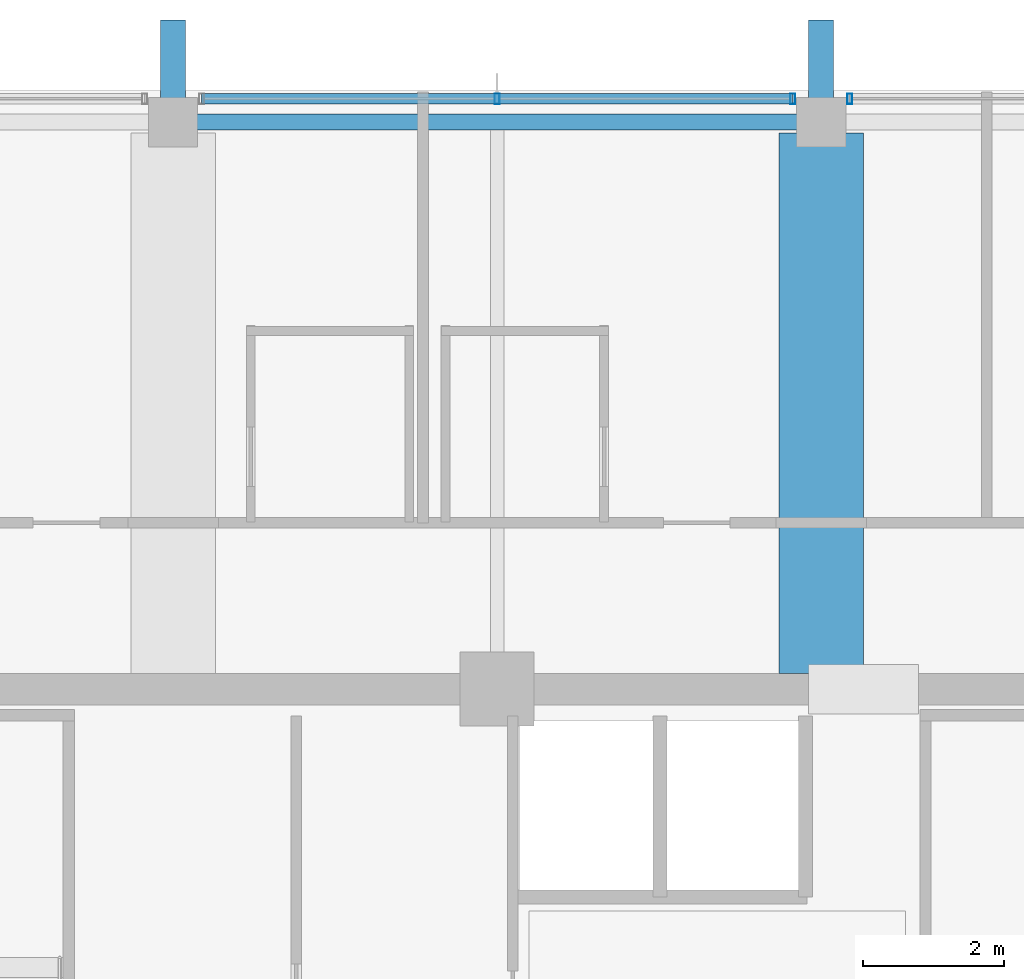
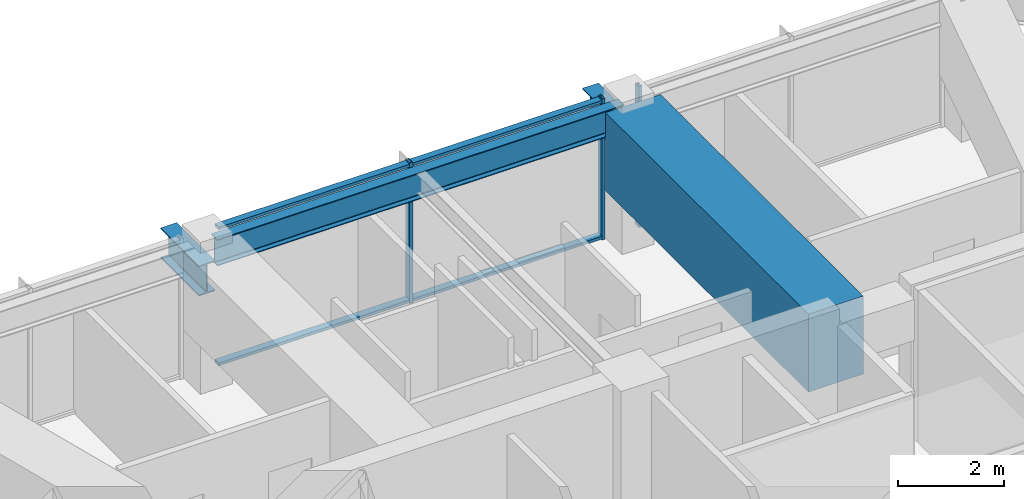
# One storey, part 16 of 31: 5 members, 4 beams, 2 elements without a shape of their own.
"""IFC4 building model written with IfcOpenShell, lengths in metres."""

from ifc_helpers import new_model, si_unit, direction, frame, origin, origin_2d, place, context, subcontext, project, spatial, rectangle, hollow_rectangle, i_section, extrude, material, material_profile, profile_set, type_object, element, aggregate, save


model = new_model("IFC4")

# Units and contexts
model_context = context("Model", 3, precision=1e-05, world=origin(), true_north=direction((0.0, 1.0)))
body_context = subcontext(model_context, "Body", "Model", "MODEL_VIEW")
ifc_project = project(units=[si_unit("LENGTHUNIT", "METRE"), si_unit("AREAUNIT", "SQUARE_METRE"), si_unit("VOLUMEUNIT", "CUBIC_METRE"), si_unit("PLANEANGLEUNIT", "RADIAN"), si_unit("MASSUNIT", "GRAM", prefix="KILO")], contexts=[model_context])

# Site, building, storey
site_placement = place(None, origin())
site = spatial("IfcSite", under=ifc_project, at=site_placement, CompositionType="ELEMENT")
building_placement = place(site_placement, origin())
building = spatial("IfcBuilding", under=site, at=building_placement, Name="Kolvaren Belvedere", CompositionType="ELEMENT")
storey_placement = place(building_placement, frame((0.0, 0.0, 237.39990234375)))
storey = spatial("IfcBuildingStorey", under=building, at=storey_placement, Name="L69", CompositionType="ELEMENT", Elevation=237.39990234375)

# Beams
ifc_material_1 = material(Name="Structural steel ASTM A992 Grade 50", Category="steel")
ifc_material_profile_1 = material_profile(ifc_material_1, i_section(OverallWidth=0.35498046875, OverallDepth=0.696044921875, WebThickness=0.015380859375, FlangeThickness=0.02490234375, FilletRadius=0.02197265625, at=origin_2d()), Name="W27X146")
ifc_profile_set_1 = profile_set([ifc_material_profile_1], Name="Structural steel ASTM A992 Grade 50")
beam_type_1 = type_object("IfcBeamType", Name="BM-CANT-BAL", PredefinedType="BEAM", material=ifc_profile_set_1)
for number, where, z_axis, x_axis, name in (
    (1, (4.60009765625, 17.949951171875, 2.342041015625), (0.0, 1.0, 0.0), (-1.0, 0.0, 0.0), "L69 North Picture-Frame Column Corbel P"),
    (2, (-4.60009765625, 17.949951171875, 2.342041015625), (0.0, 1.0, 0.0), (-1.0, 0.0, 0.0), "L69 North Picture-Frame Column Corbel M"),
):
    element("IfcBeam", number, at=place(storey_placement, frame(where, z_axis=z_axis, x_axis=x_axis)), inside=storey, type_object=beam_type_1, Name=name, PredefinedType="BEAM", context=body_context, shape_type="SweptSolid", body=[
        extrude(i_section(OverallWidth=0.35498046875, OverallDepth=0.696044921875, WebThickness=0.015380859375, FlangeThickness=0.02490234375, FilletRadius=0.02197265625, at=origin_2d()), origin(), (0.0, 0.0, 1.0), 1.449951171875),
    ])
ifc_material_2 = material(Name="Structural steel ASTM A992 Grade 50", Category="steel")
ifc_material_profile_2 = material_profile(ifc_material_2, i_section(OverallWidth=0.22900390625, OverallDepth=0.612060546875, WebThickness=0.011962890625, FlangeThickness=0.01953125, FilletRadius=0.01806640625, at=origin_2d()), Name="W24X84")
ifc_profile_set_2 = profile_set([ifc_material_profile_2], Name="Structural steel ASTM A992 Grade 50")
beam_type_2 = type_object("IfcBeamType", Name="BM-SPAN-W24X84", PredefinedType="SPANDREL", material=ifc_profile_set_2)
beam_1_placement = place(storey_placement, frame((4.4423828125, 17.949951171875, 2.944091796875), z_axis=(-1.0, 0.0, 0.0), x_axis=(0.0, -1.0, 0.0)))
element("IfcBeam", 3, at=beam_1_placement, inside=storey, type_object=beam_type_2, Name="L69 Perimeter Spandrel N3-N2", PredefinedType="SPANDREL", context=body_context, shape_type="SweptSolid", body=[
    extrude(i_section(OverallWidth=0.22900390625, OverallDepth=0.612060546875, WebThickness=0.011962890625, FlangeThickness=0.01953125, FilletRadius=0.01806640625, at=origin_2d()), origin(), (0.0, 0.0, 1.0), 8.884765625),
])
ifc_material_3 = material(Name="Concrete C50/60", Category="concrete")
ifc_material_profile_3 = material_profile(ifc_material_3, rectangle(XDim=1.199951171875, YDim=1.800048828125, at=origin_2d()), Name="RC 1200X1800")
ifc_profile_set_3 = profile_set([ifc_material_profile_3], Name="Concrete C50/60")
beam_type_3 = type_object("IfcBeamType", Name="BM-TG-1800", PredefinedType="BEAM", material=ifc_profile_set_3)
beam_2_placement = place(storey_placement, frame((4.60009765625, 10.125, 2.35009765625), z_axis=(0.0, 1.0, 0.0), x_axis=(-1.0, 0.0, 0.0)))
element("IfcBeam", 4, at=beam_2_placement, inside=storey, type_object=beam_type_3, Name="L69 North Radial Girder P", PredefinedType="BEAM", context=body_context, shape_type="SweptSolid", body=[
    extrude(rectangle(XDim=1.199951171875, YDim=1.800048828125, at=origin_2d()), origin(), (0.0, 0.0, 1.0), 7.66748046875),
])

# Curtain wall, members
ifc_material_4 = material(Name="Anodised pale-metal aluminium AA 6063-T6", Category="aluminium")
curtain_wall_type = type_object("IfcCurtainWallType", Name="CW-Z5-HIGH", PredefinedType="NOTDEFINED", material=ifc_material_4)
curtain_wall_1_placement = place(storey_placement, origin())
curtain_wall_1 = element("IfcCurtainWall", 5, at=curtain_wall_1_placement, inside=storey, type_object=curtain_wall_type, Name="L69 Unitised Curtain Wall FCW-L69-N-B2", PredefinedType="NOTDEFINED")
ifc_material_5 = material(Name="Anodised pale-metal aluminium AA 6063-T6", Category="aluminium")
ifc_material_profile_4 = material_profile(ifc_material_5, hollow_rectangle(XDim=0.070068359375, YDim=0.14990234375, WallThickness=0.004150390625, at=origin_2d()), Name="ALU-MUL-150X70")
ifc_profile_set_4 = profile_set([ifc_material_profile_4], Name="Anodised pale-metal aluminium AA 6063-T6")
member_type_1 = type_object("IfcMemberType", Name="CW-MUL-150", PredefinedType="MULLION", material=ifc_profile_set_4)
member_1_placement = place(storey_placement, frame((0.0, 18.280029296875, 0.0), z_axis=(0.0, 0.0, 1.0), x_axis=(1.0, 0.0, 0.0)))
member_1 = element("IfcMember", 6, at=member_1_placement, type_object=member_type_1, Name="FCW-L69-N-B2 Unitised Mullion 2", PredefinedType="MULLION", context=body_context, shape_type="SweptSolid", body=[
    extrude(hollow_rectangle(XDim=0.070068359375, YDim=0.14990234375, WallThickness=0.004150390625, at=origin_2d()), origin(), (0.0, 0.0, 1.0), 3.25),
])
member_2_placement = place(storey_placement, frame((4.195068359375, 18.280029296875, 0.0), z_axis=(0.0, 0.0, 1.0), x_axis=(1.0, 0.0, 0.0)))
member_2 = element("IfcMember", 7, at=member_2_placement, type_object=member_type_1, Name="FCW-L69-N-B2 Unitised Mullion 3", PredefinedType="MULLION", context=body_context, shape_type="SweptSolid", body=[
    extrude(hollow_rectangle(XDim=0.070068359375, YDim=0.14990234375, WallThickness=0.004150390625, at=origin_2d()), origin(), (0.0, 0.0, 1.0), 3.25),
])

# Curtain wall, member
curtain_wall_2_placement = place(storey_placement, origin())
curtain_wall_2 = element("IfcCurtainWall", 8, at=curtain_wall_2_placement, inside=storey, type_object=curtain_wall_type, Name="L69 Unitised Curtain Wall FCW-L69-N-B3", PredefinedType="NOTDEFINED")
member_3_placement = place(storey_placement, frame((5.0048828125, 18.280029296875, 0.0), z_axis=(0.0, 0.0, 1.0), x_axis=(1.0, 0.0, 0.0)))
member_3 = element("IfcMember", 9, at=member_3_placement, type_object=member_type_1, Name="FCW-L69-N-B3 Unitised Mullion 1", PredefinedType="MULLION", context=body_context, shape_type="SweptSolid", body=[
    extrude(hollow_rectangle(XDim=0.070068359375, YDim=0.14990234375, WallThickness=0.004150390625, at=origin_2d()), origin(), (0.0, 0.0, 1.0), 3.25),
])
aggregate(curtain_wall_2, [member_3])

# Member
ifc_material_6 = material(Name="Anodised pale-metal aluminium AA 6063-T6", Category="aluminium")
ifc_material_profile_5 = material_profile(ifc_material_6, hollow_rectangle(XDim=0.06494140625, YDim=0.14990234375, WallThickness=0.00390625, at=origin_2d()), Name="ALU-TRN-150X65")
ifc_profile_set_5 = profile_set([ifc_material_profile_5], Name="Anodised pale-metal aluminium AA 6063-T6")
member_type_2 = type_object("IfcMemberType", Name="CW-TRN-150", PredefinedType="USERDEFINED", material=ifc_profile_set_5)
member_4_placement = place(storey_placement, frame((-4.195068359375, 18.280029296875, 0.06005859375), z_axis=(1.0, 0.0, 0.0), x_axis=(0.0, 0.0, 1.0)))
member_4 = element("IfcMember", 10, at=member_4_placement, type_object=member_type_2, Name="FCW-L69-N-B2 Sill Transom", ObjectType="TRANSOM", PredefinedType="USERDEFINED", context=body_context, shape_type="SweptSolid", body=[
    extrude(hollow_rectangle(XDim=0.06494140625, YDim=0.14990234375, WallThickness=0.00390625, at=origin_2d()), origin(), (0.0, 0.0, 1.0), 8.39013671875),
])

member_5_placement = place(storey_placement, frame((-4.195068359375, 18.280029296875, 3.190185546875), z_axis=(1.0, 0.0, 0.0), x_axis=(0.0, 0.0, 1.0)))
member_5 = element("IfcMember", 11, at=member_5_placement, type_object=member_type_2, Name="FCW-L69-N-B2 Head Transom", ObjectType="TRANSOM", PredefinedType="USERDEFINED", context=body_context, shape_type="SweptSolid", body=[
    extrude(hollow_rectangle(XDim=0.06494140625, YDim=0.14990234375, WallThickness=0.00390625, at=origin_2d()), origin(), (0.0, 0.0, 1.0), 8.39013671875),
])

aggregate(curtain_wall_1, [member_1, member_2, member_4, member_5])

save(model, "model.ifc")
